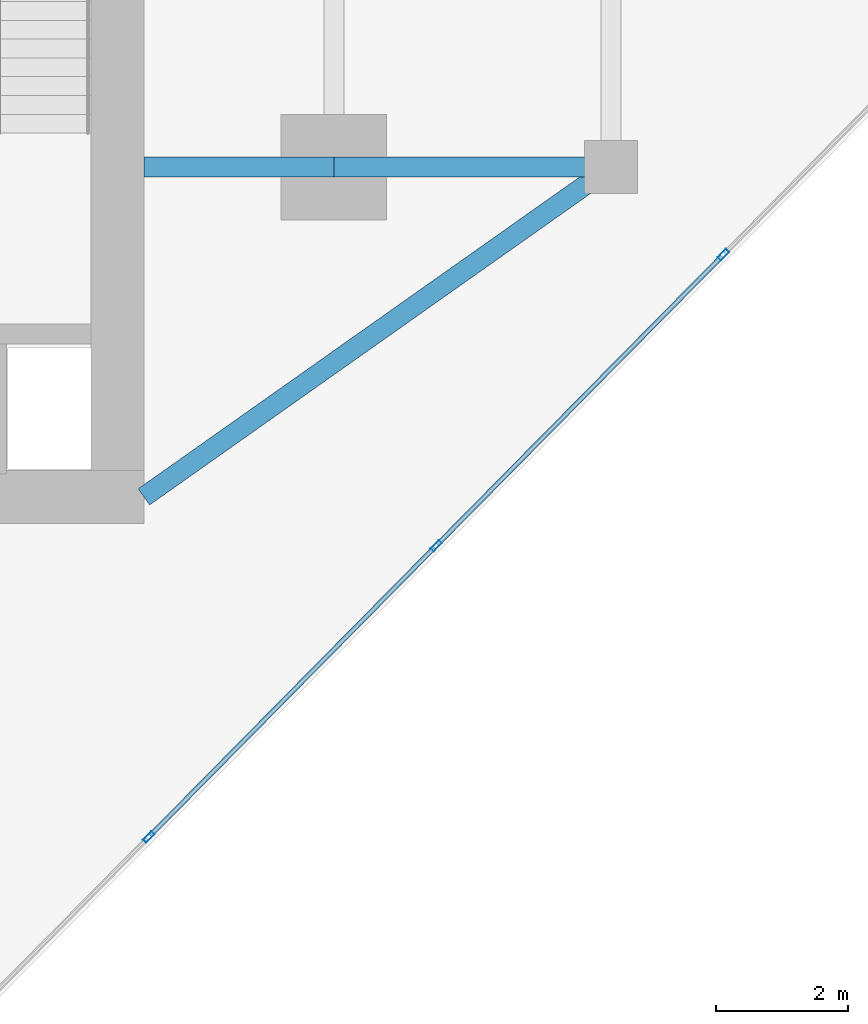
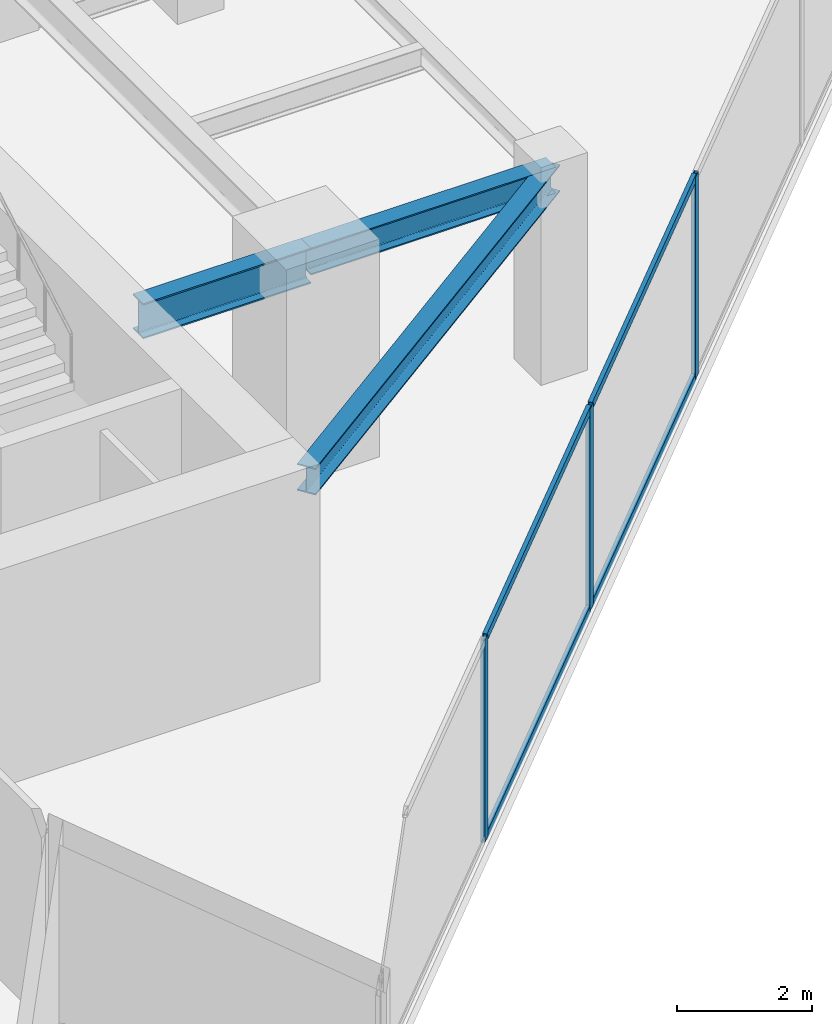
# One storey, part 9 of 24: 7 members, 3 beams, 1 element without a shape of its own.
"""IFC4 building model written with IfcOpenShell, lengths in metres."""

from ifc_helpers import new_model, si_unit, direction, frame, origin, origin_2d, place, context, subcontext, project, spatial, hollow_rectangle, i_section, extrude, source, transform, mapped, material, material_profile, profile_set, type_object, type_shapes, element, aggregate, save


model = new_model("IFC4")

# Units and contexts
model_context = context("Model", 3, precision=1e-05, world=origin(), true_north=direction((0.0, 1.0)))
body_context = subcontext(model_context, "Body", "Model", "MODEL_VIEW")
ifc_project = project(units=[si_unit("LENGTHUNIT", "METRE"), si_unit("AREAUNIT", "SQUARE_METRE"), si_unit("VOLUMEUNIT", "CUBIC_METRE"), si_unit("PLANEANGLEUNIT", "RADIAN"), si_unit("MASSUNIT", "GRAM", prefix="KILO")], contexts=[model_context])

# Site, building, storey
site_placement = place(None, origin())
site = spatial("IfcSite", under=ifc_project, at=site_placement, CompositionType="ELEMENT")
building_placement = place(site_placement, origin())
building = spatial("IfcBuilding", under=site, at=building_placement, Name="Krantzveldt Concourse Tower", CompositionType="ELEMENT")
storey_placement = place(building_placement, frame((0.0, 0.0, 234.949951171875)))
storey = spatial("IfcBuildingStorey", under=building, at=storey_placement, Name="L57", CompositionType="ELEMENT", Elevation=234.949951171875)

# Beams
ifc_material_1 = material(Name="Steel S355JR", Category="steel")
ifc_material_profile_1 = material_profile(ifc_material_1, i_section(OverallWidth=0.300048828125, OverallDepth=0.639892578125, WebThickness=0.013427734375, FlangeThickness=0.02587890625, FilletRadius=0.027099609375, at=origin_2d()), Name="Steel S355JR", Category="steel")
ifc_profile_set_1 = profile_set([ifc_material_profile_1], Name="Steel S355JR - HEA 650")
beam_type_1 = type_object("IfcBeamType", Name="BM-B-HEA650", PredefinedType="BEAM", material=ifc_profile_set_1)
shared_shape_1 = source(origin(), body_context, "Body", "SweptSolid", [
    extrude(i_section(OverallWidth=0.300048828125, OverallDepth=0.639892578125, WebThickness=0.013427734375, FlangeThickness=0.02587890625, FilletRadius=0.027099609375, at=origin_2d()), origin(), (0.0, 0.0, 1.0), 2.880126953125),
])
type_shapes(beam_type_1, [shared_shape_1])
beam_1_placement = place(storey_placement, frame((43.919921875, 15.89990234375, 3.35009765625), z_axis=(1.0, 0.0, 0.0), x_axis=(0.0, 1.0, 0.0)))
element("IfcBeam", 1, at=beam_1_placement, inside=storey, type_object=beam_type_1, Name="L57 Tower Girder BG-CE1", PredefinedType="BEAM", context=body_context, shape_type="MappedRepresentation", body=[
    mapped(shared_shape_1, transform((0.0, 0.0, 0.0), x_axis=(1.0, 0.0, 0.0), y_axis=(0.0, 1.0, 0.0), z_axis=(0.0, 0.0, 1.0), scale=1.0)),
])
ifc_material_profile_2 = material_profile(ifc_material_1, i_section(OverallWidth=0.300048828125, OverallDepth=0.489990234375, WebThickness=0.011962890625, FlangeThickness=0.02294921875, FilletRadius=0.027099609375, at=origin_2d()), Name="Steel S355JR", Category="steel")
ifc_profile_set_2 = profile_set([ifc_material_profile_2], Name="Steel S355JR - HEA 500")
beam_type_2 = type_object("IfcBeamType", Name="BM-B-HEA500", PredefinedType="BEAM", material=ifc_profile_set_2)
shared_shape_2 = source(origin(), body_context, "Body", "SweptSolid", [
    extrude(i_section(OverallWidth=0.300048828125, OverallDepth=0.489990234375, WebThickness=0.011962890625, FlangeThickness=0.02294921875, FilletRadius=0.027099609375, at=origin_2d()), origin(), (0.0, 0.0, 1.0), 4.199951171875),
])
beam_2_placement = place(storey_placement, frame((46.800048828125, 15.89990234375, 3.425048828125), z_axis=(1.0, 0.0, 0.0), x_axis=(0.0, 1.0, 0.0)))
element("IfcBeam", 2, at=beam_2_placement, inside=storey, type_object=beam_type_2, Name="L57 Tower Girder BR-RR1", PredefinedType="BEAM", context=body_context, shape_type="MappedRepresentation", body=[
    mapped(shared_shape_2, transform((0.0, 0.0, 0.0), x_axis=(1.0, 0.0, 0.0), y_axis=(0.0, 1.0, 0.0), z_axis=(0.0, 0.0, 1.0), scale=1.0)),
])
shared_shape_3 = source(origin(), body_context, "Body", "SweptSolid", [
    extrude(i_section(OverallWidth=0.300048828125, OverallDepth=0.489990234375, WebThickness=0.011962890625, FlangeThickness=0.02294921875, FilletRadius=0.027099609375, at=origin_2d()), origin(), (0.0, 0.0, 1.0), 8.667724609375),
])
type_shapes(beam_type_2, [shared_shape_2, shared_shape_3])
beam_3_placement = place(storey_placement, frame((51.0, 15.89990234375, 3.425048828125), z_axis=(-0.81684294656, -0.576860122261, 0.0), x_axis=(0.576860122261, -0.81684294656, 0.0)))
element("IfcBeam", 3, at=beam_3_placement, inside=storey, type_object=beam_type_2, Name="L57 Tower Girder BR-CSE", PredefinedType="BEAM", context=body_context, shape_type="MappedRepresentation", body=[
    mapped(shared_shape_3, transform((0.0, 0.0, 0.0), x_axis=(1.0, 0.0, 0.0), y_axis=(0.0, 1.0, 0.0), z_axis=(0.0, 0.0, 1.0), scale=1.0)),
])

# Curtain wall, members
ifc_material_2 = material(Name="Anodised aluminium 6063-T6", Category="aluminium")
curtain_wall_type = type_object("IfcCurtainWallType", Name="CW3", PredefinedType="USERDEFINED", material=ifc_material_2)
curtain_wall_placement = place(storey_placement, origin())
curtain_wall = element("IfcCurtainWall", 4, at=curtain_wall_placement, inside=storey, type_object=curtain_wall_type, Name="CW-L57-F07", ObjectType="UNITISED CURTAIN WALL", PredefinedType="USERDEFINED")
ifc_material_profile_3 = material_profile(ifc_material_2, hollow_rectangle(XDim=0.070068359375, YDim=0.179931640625, WallThickness=0.0048828125, at=origin_2d()), Name="Anodised aluminium 6063-T6", Category="aluminium")
ifc_profile_set_3 = profile_set([ifc_material_profile_3], Name="Anodised aluminium 6063-T6 - ALU-MULL 180x70x5")
member_type_1 = type_object("IfcMemberType", Name="CW-MUL-180", PredefinedType="MULLION", material=ifc_profile_set_3)
shared_shape_4 = source(origin(), body_context, "Body", "SweptSolid", [
    extrude(hollow_rectangle(XDim=0.070068359375, YDim=0.179931640625, WallThickness=0.0048828125, at=origin_2d()), origin(), (0.0, 0.0, 1.0), 3.670166015625),
])
type_shapes(member_type_1, [shared_shape_4])
member_1_placement = place(storey_placement, frame((43.993408203125, 5.74365234375, 0.0), z_axis=(0.0, 0.0, 1.0), x_axis=(-0.711719700179, 0.702463570854, 0.0)))
member_1 = element("IfcMember", 5, at=member_1_placement, type_object=member_type_1, Name="CW-Z34 mullion 2", PredefinedType="MULLION", context=body_context, shape_type="MappedRepresentation", body=[
    mapped(shared_shape_4, transform((0.0, 0.0, 0.0), x_axis=(1.0, 0.0, 0.0), y_axis=(0.0, 1.0, 0.0), z_axis=(0.0, 0.0, 1.0), scale=1.0)),
])
member_2_placement = place(storey_placement, frame((48.3486328125, 10.156494140625, 0.0), z_axis=(0.0, 0.0, 1.0), x_axis=(-0.711719700179, 0.702463570854, 0.0)))
member_2 = element("IfcMember", 6, at=member_2_placement, type_object=member_type_1, Name="CW-Z34 mullion 3", PredefinedType="MULLION", context=body_context, shape_type="MappedRepresentation", body=[
    mapped(shared_shape_4, transform((0.0, 0.0, 0.0), x_axis=(1.0, 0.0, 0.0), y_axis=(0.0, 1.0, 0.0), z_axis=(0.0, 0.0, 1.0), scale=1.0)),
])
member_3_placement = place(storey_placement, frame((52.703857421875, 14.569091796875, 0.0), z_axis=(0.0, 0.0, 1.0), x_axis=(-0.711719700179, 0.702463570854, 0.0)))
member_3 = element("IfcMember", 7, at=member_3_placement, type_object=member_type_1, Name="CW-Z34 mullion 4", PredefinedType="MULLION", context=body_context, shape_type="MappedRepresentation", body=[
    mapped(shared_shape_4, transform((0.0, 0.0, 0.0), x_axis=(1.0, 0.0, 0.0), y_axis=(0.0, 1.0, 0.0), z_axis=(0.0, 0.0, 1.0), scale=1.0)),
])
ifc_material_profile_4 = material_profile(ifc_material_2, hollow_rectangle(XDim=0.070068359375, YDim=0.139892578125, WallThickness=0.0048828125, at=origin_2d()), Name="Anodised aluminium 6063-T6", Category="aluminium")
ifc_profile_set_4 = profile_set([ifc_material_profile_4], Name="Anodised aluminium 6063-T6 - ALU-TRAN 140x70x5")
member_type_2 = type_object("IfcMemberType", Name="CW-TRN-150", PredefinedType="USERDEFINED", material=ifc_profile_set_4)
shared_shape_5 = source(origin(), body_context, "Body", "SweptSolid", [
    extrude(hollow_rectangle(XDim=0.070068359375, YDim=0.139892578125, WallThickness=0.0048828125, at=origin_2d()), origin(), (0.0, 0.0, 1.0), 6.130126953125),
])
member_4_placement = place(storey_placement, frame((44.017822265625, 5.7685546875, 0.03515625), z_axis=(0.702451824513, 0.711731293564, 0.0), x_axis=(-0.711731293564, 0.702451824513, 0.0)))
member_4 = element("IfcMember", 8, at=member_4_placement, type_object=member_type_2, Name="CW-Z34 transom 2.1", ObjectType="TRANSOM", PredefinedType="USERDEFINED", context=body_context, shape_type="MappedRepresentation", body=[
    mapped(shared_shape_5, transform((0.0, 0.0, 0.0), x_axis=(1.0, 0.0, 0.0), y_axis=(0.0, 1.0, 0.0), z_axis=(0.0, 0.0, 1.0), scale=1.0)),
])
member_5_placement = place(storey_placement, frame((44.017822265625, 5.7685546875, 3.635009765625), z_axis=(0.702451824513, 0.711731293564, 0.0), x_axis=(-0.711731293564, 0.702451824513, 0.0)))
member_5 = element("IfcMember", 9, at=member_5_placement, type_object=member_type_2, Name="CW-Z34 transom 2.2", ObjectType="TRANSOM", PredefinedType="USERDEFINED", context=body_context, shape_type="MappedRepresentation", body=[
    mapped(shared_shape_5, transform((0.0, 0.0, 0.0), x_axis=(1.0, 0.0, 0.0), y_axis=(0.0, 1.0, 0.0), z_axis=(0.0, 0.0, 1.0), scale=1.0)),
])
shared_shape_6 = source(origin(), body_context, "Body", "SweptSolid", [
    extrude(hollow_rectangle(XDim=0.070068359375, YDim=0.139892578125, WallThickness=0.0048828125, at=origin_2d()), origin(), (0.0, 0.0, 1.0), 6.1298828125),
])
type_shapes(member_type_2, [shared_shape_5, shared_shape_6])
member_6_placement = place(storey_placement, frame((48.373046875, 10.181396484375, 0.03515625), z_axis=(0.702471736112, 0.71171164102, 0.0), x_axis=(-0.71171164102, 0.702471736112, 0.0)))
member_6 = element("IfcMember", 10, at=member_6_placement, type_object=member_type_2, Name="CW-Z34 transom 3.1", ObjectType="TRANSOM", PredefinedType="USERDEFINED", context=body_context, shape_type="MappedRepresentation", body=[
    mapped(shared_shape_6, transform((0.0, 0.0, 0.0), x_axis=(1.0, 0.0, 0.0), y_axis=(0.0, 1.0, 0.0), z_axis=(0.0, 0.0, 1.0), scale=1.0)),
])
member_7_placement = place(storey_placement, frame((48.373046875, 10.181396484375, 3.635009765625), z_axis=(0.702471736112, 0.71171164102, 0.0), x_axis=(-0.71171164102, 0.702471736112, 0.0)))
member_7 = element("IfcMember", 11, at=member_7_placement, type_object=member_type_2, Name="CW-Z34 transom 3.2", ObjectType="TRANSOM", PredefinedType="USERDEFINED", context=body_context, shape_type="MappedRepresentation", body=[
    mapped(shared_shape_6, transform((0.0, 0.0, 0.0), x_axis=(1.0, 0.0, 0.0), y_axis=(0.0, 1.0, 0.0), z_axis=(0.0, 0.0, 1.0), scale=1.0)),
])
aggregate(curtain_wall, [member_1, member_2, member_3, member_4, member_5, member_6, member_7])

save(model, "model.ifc")
